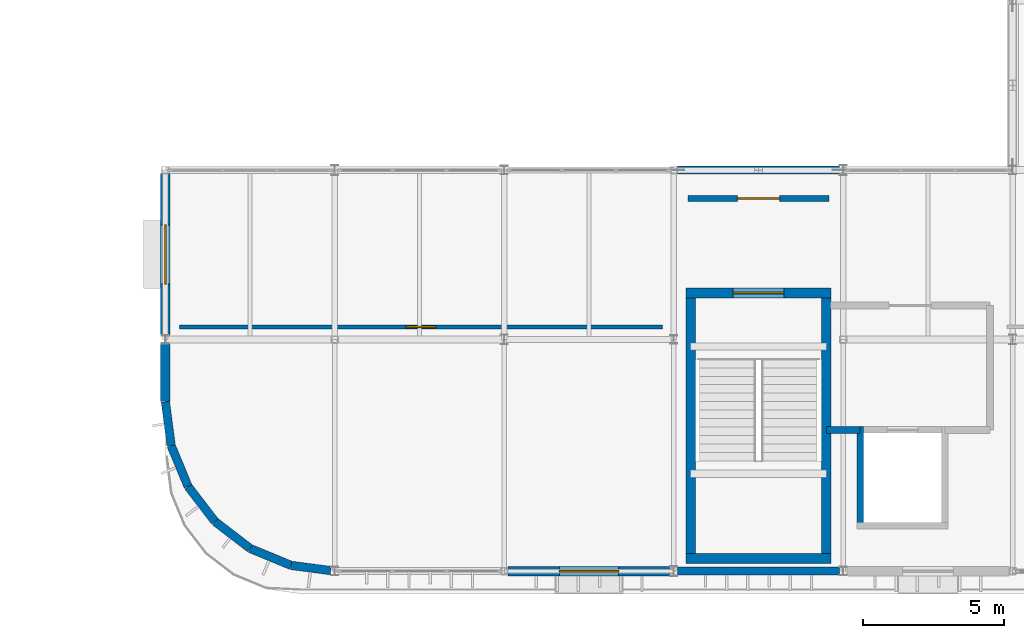
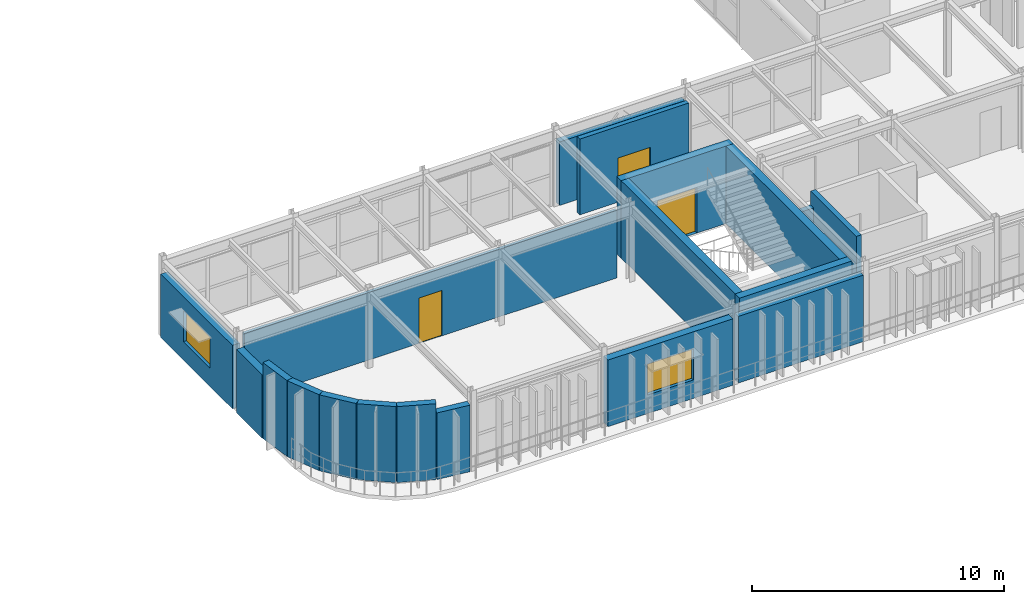
# One storey, part 49 of 63: 19 walls, 3 doors, 2 windows, 5 openings.
"""IFC4 building model written with IfcOpenShell, lengths in metres."""

from ifc_helpers import new_model, si_unit, direction, frame, frame_2d, origin, place, context, subcontext, project, spatial, rectangle, extrude, material, layer, layer_set, type_object, element, fill, save


model = new_model("IFC4")

# Units and contexts
model_context = context("Model", 3, precision=1e-05, world=origin(), true_north=direction((0.0, 1.0)))
body_context = subcontext(model_context, "Body", "Model", "MODEL_VIEW")
ifc_project = project(units=[si_unit("LENGTHUNIT", "METRE"), si_unit("AREAUNIT", "SQUARE_METRE"), si_unit("VOLUMEUNIT", "CUBIC_METRE"), si_unit("PLANEANGLEUNIT", "RADIAN"), si_unit("MASSUNIT", "GRAM", prefix="KILO")], contexts=[model_context])

# Site, building, storey
site_placement = place(None, origin())
site = spatial("IfcSite", under=ifc_project, at=site_placement, CompositionType="ELEMENT")
building_placement = place(site_placement, origin())
building = spatial("IfcBuilding", under=site, at=building_placement, Name="Varnakota Square Police Headquarters", CompositionType="ELEMENT")
storey_placement = place(building_placement, frame((0.0, 0.0, 22.199951171875)))
storey = spatial("IfcBuildingStorey", under=building, at=storey_placement, Name="L05", CompositionType="ELEMENT", Elevation=22.199951171875)

# Walls
ifc_material_1 = material(Name="Concrete M40", Category="concrete")
ifc_layer_1 = layer(ifc_material_1, 0.22998046875, Name="Concrete M40")
ifc_layer_set_1 = layer_set([ifc_layer_1], Name="Concrete M40")
wall_type_1 = type_object("IfcWallType", Name="WL-CORE-230", PredefinedType="SHEAR", material=ifc_layer_set_1)
wall_1_placement = place(storey_placement, frame((132.60009765625, 5.9150390625, 0.0), z_axis=(0.0, 0.0, 1.0), x_axis=(0.0, -1.0, 0.0)))
element("IfcWall", 1, at=wall_1_placement, inside=storey, type_object=wall_type_1, Name="Lift shaft wall LF-FF1 L05 W", PredefinedType="SHEAR", context=body_context, shape_type="SweptSolid", body=[
    extrude(rectangle(XDim=3.630126953125, YDim=0.22998046875, at=frame_2d((1.81494140625, 0.0))), origin(), (0.0, 0.0, 1.0), 3.900146484375),
])
ifc_material_2 = material(Name="Concrete M50", Category="concrete")
ifc_layer_2 = layer(ifc_material_2, 0.35009765625, Name="Concrete M50")
ifc_layer_set_2 = layer_set([ifc_layer_2], Name="Concrete M50")
wall_type_2 = type_object("IfcWallType", Name="WL-CORE-350", PredefinedType="SHEAR", material=ifc_layer_set_2)
wall_2_placement = place(storey_placement, frame((126.425048828125, 1.25, 0.0), z_axis=(0.0, 0.0, 1.0), x_axis=(1.0, 0.0, 0.0)))
element("IfcWall", 2, at=wall_2_placement, inside=storey, type_object=wall_type_2, Name="Core C1 shear wall L05 S", PredefinedType="SHEAR", context=body_context, shape_type="SweptSolid", body=[
    extrude(rectangle(XDim=5.14990234375, YDim=0.35009765625, at=frame_2d((2.574951171875, 0.0))), origin(), (0.0, 0.0, 1.0), 3.760009765625),
])
wall_3_placement = place(storey_placement, frame((131.39990234375, 1.074951171875, 0.0), z_axis=(0.0, 0.0, 1.0), x_axis=(0.0, 1.0, 0.0)))
element("IfcWall", 3, at=wall_3_placement, inside=storey, type_object=wall_type_2, Name="Core C1 shear wall L05 E", PredefinedType="SHEAR", context=body_context, shape_type="SweptSolid", body=[
    extrude(rectangle(XDim=9.75, YDim=0.35009765625, at=frame_2d((4.875, 0.0))), origin(), (0.0, 0.0, 1.0), 3.760009765625),
])

# Wall, opening, door
wall_4_placement = place(storey_placement, frame((131.574951171875, 10.64990234375, 0.0), z_axis=(0.0, 0.0, 1.0), x_axis=(-1.0, 0.0, 0.0)))
wall_4 = element("IfcWall", 4, at=wall_4_placement, inside=storey, type_object=wall_type_2, Name="Core C1 shear wall L05 N", PredefinedType="SHEAR", context=body_context, shape_type="SweptSolid", body=[
    extrude(rectangle(XDim=5.14990234375, YDim=0.35009765625, at=frame_2d((2.574951171875, 0.0))), origin(), (0.0, 0.0, 1.0), 3.760009765625),
])
opening_1_placement = place(wall_4_placement, frame((1.675048828125, 0.0, 0.0)))
opening_1 = element("IfcOpeningElement", 5, at=opening_1_placement, cuts=wall_4, Name="Opening SD006", PredefinedType="OPENING", context=body_context, shape_type="SweptSolid", body=[
    extrude(rectangle(XDim=1.800048828125, YDim=2.199951171875, at=frame_2d((0.89990234375, 1.10009765625))), frame((0.0, 0.18505859375, 0.0), z_axis=(0.0, -1.0, 0.0), x_axis=(1.0, 0.0, 0.0)), (0.0, 0.0, 1.0), 0.3701171875),
])
ifc_material_3 = material(Name="Powder-Coated Galvanised Steel", Category="steel")
door_type_1 = type_object("IfcDoorType", Name="DR-ST-180", OperationType="NOTDEFINED", PredefinedType="DOOR", material=ifc_material_3)
door_1_placement = place(opening_1_placement, origin())
door_1 = element("IfcDoor", 6, at=door_1_placement, inside=storey, type_object=door_type_1, Name="Protected stair door SD006", OperationType="DOUBLE_DOOR_SINGLE_SWING", OverallHeight=2.199951171875, OverallWidth=1.800048828125, PredefinedType="DOOR", context=body_context, shape_type="SweptSolid", body=[
    extrude(rectangle(XDim=1.800048828125, YDim=2.199951171875, at=frame_2d((0.89990234375, 1.10009765625))), frame((0.0, 0.02490234375, 0.0), z_axis=(0.0, -1.0, 0.0), x_axis=(1.0, 0.0, 0.0)), (0.0, 0.0, 1.0), 0.050048828125),
])
fill(opening_1, door_1)

# Walls
wall_5_placement = place(storey_placement, frame((126.60009765625, 10.824951171875, 0.0), z_axis=(0.0, 0.0, 1.0), x_axis=(0.0, -1.0, 0.0)))
element("IfcWall", 7, at=wall_5_placement, inside=storey, type_object=wall_type_2, Name="Core C1 shear wall L05 W", PredefinedType="SHEAR", context=body_context, shape_type="SweptSolid", body=[
    extrude(rectangle(XDim=9.75, YDim=0.35009765625, at=frame_2d((4.875, 0.0))), origin(), (0.0, 0.0, 1.0), 3.760009765625),
])
ifc_layer_3 = layer(ifc_material_1, 0.280029296875, Name="Concrete M40")
ifc_layer_set_3 = layer_set([ifc_layer_3], Name="Concrete M40")
wall_type_3 = type_object("IfcWallType", Name="WL-EXT-280", PredefinedType="SOLIDWALL", material=ifc_layer_set_3)
wall_6_placement = place(storey_placement, frame((126.12890625, 0.800048828125, 0.0), z_axis=(0.0, 0.0, 1.0), x_axis=(1.0, 0.0, 0.0)))
element("IfcWall", 8, at=wall_6_placement, inside=storey, type_object=wall_type_3, Name="Exterior wall EW-L05-0282", PredefinedType="SOLIDWALL", context=body_context, shape_type="SweptSolid", body=[
    extrude(rectangle(XDim=5.7421875, YDim=0.280029296875, at=frame_2d((2.87109375, 0.0))), origin(), (0.0, 0.0, 1.0), 3.22998046875),
])
wall_7_placement = place(storey_placement, frame((126.12890625, 15.0, 0.0), z_axis=(0.0, 0.0, 1.0), x_axis=(1.0, 0.0, 0.0)))
element("IfcWall", 9, at=wall_7_placement, inside=storey, type_object=wall_type_3, Name="Exterior wall EW-L05-0291", PredefinedType="SOLIDWALL", context=body_context, shape_type="SweptSolid", body=[
    extrude(rectangle(XDim=5.7421875, YDim=0.280029296875, at=frame_2d((2.87109375, 0.0))), origin(), (0.0, 0.0, 1.0), 3.080078125),
])
ifc_material_4 = material(Name="Precast concrete M40", Category="concrete")
ifc_layer_4 = layer(ifc_material_4, 0.300048828125, Name="Precast concrete M40")
ifc_layer_set_4 = layer_set([ifc_layer_4], Name="Precast concrete M40")
wall_type_4 = type_object("IfcWallType", Name="WL-EXT-300", PredefinedType="SOLIDWALL", material=ifc_layer_set_4)
wall_8_placement = place(storey_placement, frame((108.0, 6.800048828125, 0.0), z_axis=(0.0, 0.0, 1.0), x_axis=(0.130458544462, -0.991453765022, 0.0)))
element("IfcWall", 10, at=wall_8_placement, inside=storey, type_object=wall_type_4, Name="Exterior wall EW-L05-0298", PredefinedType="SOLIDWALL", context=body_context, shape_type="SweptSolid", body=[
    extrude(rectangle(XDim=1.56640625, YDim=0.300048828125, at=frame_2d((0.783203125, 0.0))), origin(), (0.0, 0.0, 1.0), 3.68505859375),
])
wall_9_placement = place(storey_placement, frame((108.204345703125, 5.2470703125, 0.0), z_axis=(0.0, 0.0, 1.0), x_axis=(0.382677606907, -0.923881945474, 0.0)))
element("IfcWall", 11, at=wall_9_placement, inside=storey, type_object=wall_type_4, Name="Exterior wall EW-L05-0299", PredefinedType="SOLIDWALL", context=body_context, shape_type="SweptSolid", body=[
    extrude(rectangle(XDim=1.566162109375, YDim=0.300048828125, at=frame_2d((0.783203125, 0.0))), origin(), (0.0, 0.0, 1.0), 3.68505859375),
])
for number, where, z_axis, x_axis, name in (
    (12, (108.8037109375, 3.800048828125, 0.0), (0.0, 0.0, 1.0), (0.608791411033, -0.793330333374, 0.0), "Exterior wall EW-L05-0300"),
    (13, (109.75732421875, 2.557373046875, 0.0), (0.0, 0.0, 1.0), (0.793330333374, -0.608791411033, 0.0), "Exterior wall EW-L05-0301"),
):
    element("IfcWall", number, at=place(storey_placement, frame(where, z_axis=z_axis, x_axis=x_axis)), inside=storey, type_object=wall_type_4, Name=name, PredefinedType="SOLIDWALL", context=body_context, shape_type="SweptSolid", body=[
        extrude(rectangle(XDim=1.56640625, YDim=0.300048828125, at=frame_2d((0.783203125, 0.0))), origin(), (0.0, 0.0, 1.0), 3.68505859375),
    ])
wall_10_placement = place(storey_placement, frame((111.0, 1.603759765625, 0.0), z_axis=(0.0, 0.0, 1.0), x_axis=(0.923881945474, -0.382677606907, 0.0)))
element("IfcWall", 14, at=wall_10_placement, inside=storey, type_object=wall_type_4, Name="Exterior wall EW-L05-0302", PredefinedType="SOLIDWALL", context=body_context, shape_type="SweptSolid", body=[
    extrude(rectangle(XDim=1.566162109375, YDim=0.300048828125, at=frame_2d((0.783203125, 0.0))), origin(), (0.0, 0.0, 1.0), 3.68505859375),
])
wall_11_placement = place(storey_placement, frame((112.447021484375, 1.00439453125, 0.0), z_axis=(0.0, 0.0, 1.0), x_axis=(0.991435544456, -0.130596941729, 0.0)))
element("IfcWall", 15, at=wall_11_placement, inside=storey, type_object=wall_type_4, Name="Exterior wall EW-L05-0303", PredefinedType="SOLIDWALL", context=body_context, shape_type="SweptSolid", body=[
    extrude(rectangle(XDim=1.4189453125, YDim=0.300048828125, at=frame_2d((0.70947265625, 0.0))), origin(), (0.0, 0.0, 1.0), 3.22998046875),
])

# Wall, opening, window
ifc_layer_5 = layer(ifc_material_1, 0.340087890625, Name="Concrete M40")
ifc_layer_set_5 = layer_set([ifc_layer_5], Name="Concrete M40")
wall_type_5 = type_object("IfcWallType", Name="WL-EXT-340", PredefinedType="SOLIDWALL", material=ifc_layer_set_5)
wall_12_placement = place(storey_placement, frame((120.12890625, 0.800048828125, 0.0), z_axis=(0.0, 0.0, 1.0), x_axis=(1.0, 0.0, 0.0)))
wall_12 = element("IfcWall", 16, at=wall_12_placement, inside=storey, type_object=wall_type_5, Name="Exterior wall EW-L05-0281", PredefinedType="SOLIDWALL", context=body_context, shape_type="SweptSolid", body=[
    extrude(rectangle(XDim=5.7421875, YDim=0.340087890625, at=frame_2d((2.87109375, 0.0))), origin(), (0.0, 0.0, 1.0), 3.22998046875),
])
opening_2_placement = place(wall_12_placement, frame((1.821044921875, 0.0, 0.89990234375)))
opening_2 = element("IfcOpeningElement", 17, at=opening_2_placement, cuts=wall_12, Name="Opening W08", PredefinedType="OPENING", context=body_context, shape_type="SweptSolid", body=[
    extrude(rectangle(XDim=2.10009765625, YDim=1.5, at=frame_2d((1.050048828125, 0.75))), frame((0.0, 0.179931640625, 0.0), z_axis=(0.0, -1.0, 0.0), x_axis=(1.0, 0.0, 0.0)), (0.0, 0.0, 1.0), 0.360107421875),
])
ifc_material_5 = material(Name="Thermally Broken Aluminium Double-Glazed Window", Category="aluminium")
window_type = type_object("IfcWindowType", Name="WIN-08", PartitioningType="SINGLE_PANEL", PredefinedType="WINDOW", material=ifc_material_5)
window_1_placement = place(opening_2_placement, origin())
window_1 = element("IfcWindow", 18, at=window_1_placement, inside=storey, type_object=window_type, Name="Window WN-L05-0047", OverallHeight=1.5, OverallWidth=2.10009765625, PartitioningType="SINGLE_PANEL", PredefinedType="WINDOW", context=body_context, shape_type="SweptSolid", body=[
    extrude(rectangle(XDim=2.10009765625, YDim=1.5, at=frame_2d((1.050048828125, 0.75))), frame((0.0, 0.030029296875, 0.0), z_axis=(0.0, -1.0, 0.0), x_axis=(1.0, 0.0, 0.0)), (0.0, 0.0, 1.0), 0.06005859375),
])
fill(opening_2, window_1)

# Wall
wall_13_placement = place(storey_placement, frame((108.0, 6.800048828125, 0.0), z_axis=(0.0, 0.0, 1.0), x_axis=(0.0, 1.0, 0.0)))
element("IfcWall", 19, at=wall_13_placement, inside=storey, type_object=wall_type_5, Name="Exterior wall EW-L05-0293", PredefinedType="SOLIDWALL", context=body_context, shape_type="SweptSolid", body=[
    extrude(rectangle(XDim=2.0458984375, YDim=0.340087890625, at=frame_2d((1.02294921875, 0.0))), origin(), (0.0, 0.0, 1.0), 3.080078125),
])

# Wall, opening, window
wall_14_placement = place(storey_placement, frame((108.0, 9.154052734375, 0.0), z_axis=(0.0, 0.0, 1.0), x_axis=(0.0, 1.0, 0.0)))
wall_14 = element("IfcWall", 20, at=wall_14_placement, inside=storey, type_object=wall_type_5, Name="Exterior wall EW-L05-0294", PredefinedType="SOLIDWALL", context=body_context, shape_type="SweptSolid", body=[
    extrude(rectangle(XDim=5.717041015625, YDim=0.340087890625, at=frame_2d((2.8583984375, 0.0))), origin(), (0.0, 0.0, 1.0), 3.080078125),
])
opening_3_placement = place(wall_14_placement, frame((1.80859375, 0.0, 0.89990234375)))
opening_3 = element("IfcOpeningElement", 21, at=opening_3_placement, cuts=wall_14, Name="Opening W08", PredefinedType="OPENING", context=body_context, shape_type="SweptSolid", body=[
    extrude(rectangle(XDim=2.10009765625, YDim=1.5, at=frame_2d((1.050048828125, 0.75))), frame((0.0, 0.179931640625, 0.0), z_axis=(0.0, -1.0, 0.0), x_axis=(1.0, 0.0, 0.0)), (0.0, 0.0, 1.0), 0.360107421875),
])
window_2_placement = place(opening_3_placement, origin())
window_2 = element("IfcWindow", 22, at=window_2_placement, inside=storey, type_object=window_type, Name="Window WN-L05-0050", OverallHeight=1.5, OverallWidth=2.10009765625, PartitioningType="SINGLE_PANEL", PredefinedType="WINDOW", context=body_context, shape_type="SweptSolid", body=[
    extrude(rectangle(XDim=2.10009765625, YDim=1.5, at=frame_2d((1.050048828125, 0.75))), frame((0.0, 0.030029296875, 0.0), z_axis=(0.0, -1.0, 0.0), x_axis=(1.0, 0.0, 0.0)), (0.0, 0.0, 1.0), 0.06005859375),
])
fill(opening_3, window_2)

# Wall, opening, door
ifc_material_6 = material(Name="Acoustic Insulated Metal-Stud Partition", Category="gypsum")
ifc_layer_6 = layer(ifc_material_6, 0.139892578125, Name="Acoustic Insulated Metal-Stud Partition")
ifc_layer_set_6 = layer_set([ifc_layer_6], Name="Acoustic Insulated Metal-Stud Partition")
wall_type_6 = type_object("IfcWallType", Name="WL-PRT-140", PredefinedType="PARTITIONING", material=ifc_layer_set_6)
wall_15_placement = place(storey_placement, frame((108.5, 9.449951171875, 0.0), z_axis=(0.0, 0.0, 1.0), x_axis=(1.0, 0.0, 0.0)))
wall_15 = element("IfcWall", 23, at=wall_15_placement, inside=storey, type_object=wall_type_6, Name="Interior partition PW-L05-0228 (Special Investigation Division West Office)", PredefinedType="PARTITIONING", context=body_context, shape_type="SweptSolid", body=[
    extrude(rectangle(XDim=17.10009765625, YDim=0.139892578125, at=frame_2d((8.550048828125, 0.0))), origin(), (0.0, 0.0, 1.0), 3.280029296875),
])
opening_4_placement = place(wall_15_placement, frame((8.02490234375, 0.0, 0.0)))
opening_4 = element("IfcOpeningElement", 24, at=opening_4_placement, cuts=wall_15, Name="Opening D282", PredefinedType="OPENING", context=body_context, shape_type="SweptSolid", body=[
    extrude(rectangle(XDim=1.050048828125, YDim=2.199951171875, at=frame_2d((0.52490234375, 1.10009765625))), frame((0.0, 0.079833984375, 0.0), z_axis=(0.0, -1.0, 0.0), x_axis=(1.0, 0.0, 0.0)), (0.0, 0.0, 1.0), 0.159912109375),
])
ifc_material_7 = material(Name="Anodised Aluminium and Laminated Acoustic Glass", Category="aluminium")
door_type_2 = type_object("IfcDoorType", Name="DR-OFF-105", OperationType="NOTDEFINED", PredefinedType="DOOR", material=ifc_material_7)
door_2_placement = place(opening_4_placement, origin())
door_2 = element("IfcDoor", 25, at=door_2_placement, inside=storey, type_object=door_type_2, Name="Room door D282 (Special Investigation Division West Office)", OperationType="SINGLE_SWING_LEFT", OverallHeight=2.199951171875, OverallWidth=1.050048828125, PredefinedType="DOOR", context=body_context, shape_type="SweptSolid", body=[
    extrude(rectangle(XDim=1.050048828125, YDim=2.199951171875, at=frame_2d((0.52490234375, 1.10009765625))), frame((0.0, 0.02490234375, 0.0), z_axis=(0.0, -1.0, 0.0), x_axis=(1.0, 0.0, 0.0)), (0.0, 0.0, 1.0), 0.050048828125),
])
fill(opening_4, door_2)

ifc_layer_7 = layer(ifc_material_1, 0.215087890625, Name="Concrete M40")
ifc_layer_set_7 = layer_set([ifc_layer_7], Name="Concrete M40")
wall_type_7 = type_object("IfcWallType", Name="WL-PRT-215F", PredefinedType="PARTITIONING", material=ifc_layer_set_7)
wall_16_placement = place(storey_placement, frame((126.5, 14.0, 0.0), z_axis=(0.0, 0.0, 1.0), x_axis=(1.0, 0.0, 0.0)))
wall_16 = element("IfcWall", 26, at=wall_16_placement, inside=storey, type_object=wall_type_7, Name="Core C1 lobby fire partition L05", PredefinedType="PARTITIONING", context=body_context, shape_type="SweptSolid", body=[
    extrude(rectangle(XDim=5.0, YDim=0.215087890625, at=frame_2d((2.5, 0.0))), origin(), (0.0, 0.0, 1.0), 3.679931640625),
])
opening_5_placement = place(wall_16_placement, frame((1.75, 0.0, 0.0)))
opening_5 = element("IfcOpeningElement", 27, at=opening_5_placement, cuts=wall_16, Name="Opening FD019", PredefinedType="OPENING", context=body_context, shape_type="SweptSolid", body=[
    extrude(rectangle(XDim=1.5, YDim=2.14990234375, at=frame_2d((0.75, 1.074951171875))), frame((0.0, 0.117431640625, 0.0), z_axis=(0.0, -1.0, 0.0), x_axis=(1.0, 0.0, 0.0)), (0.0, 0.0, 1.0), 0.235107421875),
])
ifc_material_8 = material(Name="Smoke-Sealed Galvanised Acoustic Steel", Category="steel")
door_type_3 = type_object("IfcDoorType", Name="DR-FFL-150", OperationType="NOTDEFINED", PredefinedType="DOOR", material=ifc_material_8)
door_3_placement = place(opening_5_placement, origin())
door_3 = element("IfcDoor", 28, at=door_3_placement, inside=storey, type_object=door_type_3, Name="Core lobby smoke door FD019", OperationType="DOUBLE_DOOR_SINGLE_SWING", OverallHeight=2.14990234375, OverallWidth=1.5, PredefinedType="DOOR", context=body_context, shape_type="SweptSolid", body=[
    extrude(rectangle(XDim=1.5, YDim=2.14990234375, at=frame_2d((0.75, 1.074951171875))), frame((0.0, 0.02490234375, 0.0), z_axis=(0.0, -1.0, 0.0), x_axis=(1.0, 0.0, 0.0)), (0.0, 0.0, 1.0), 0.050048828125),
])
fill(opening_5, door_3)

# Wall
ifc_layer_8 = layer(ifc_material_1, 0.25, Name="Concrete M40")
ifc_layer_set_8 = layer_set([ifc_layer_8], Name="Concrete M40")
wall_type_8 = type_object("IfcWallType", Name="WL-PRT-250F", PredefinedType="PARTITIONING", material=ifc_layer_set_8)
wall_17_placement = place(storey_placement, frame((131.39990234375, 5.800048828125, 0.0), z_axis=(0.0, 0.0, 1.0), x_axis=(1.0, 0.0, 0.0)))
element("IfcWall", 29, at=wall_17_placement, inside=storey, type_object=wall_type_8, Name="Firefighting lobby return wall C1 L05 SW", PredefinedType="PARTITIONING", context=body_context, shape_type="SweptSolid", body=[
    extrude(rectangle(XDim=1.2001953125, YDim=0.25, at=frame_2d((0.60009765625, 0.0))), origin(), (0.0, 0.0, 1.0), 3.22998046875),
])

save(model, "model.ifc")
